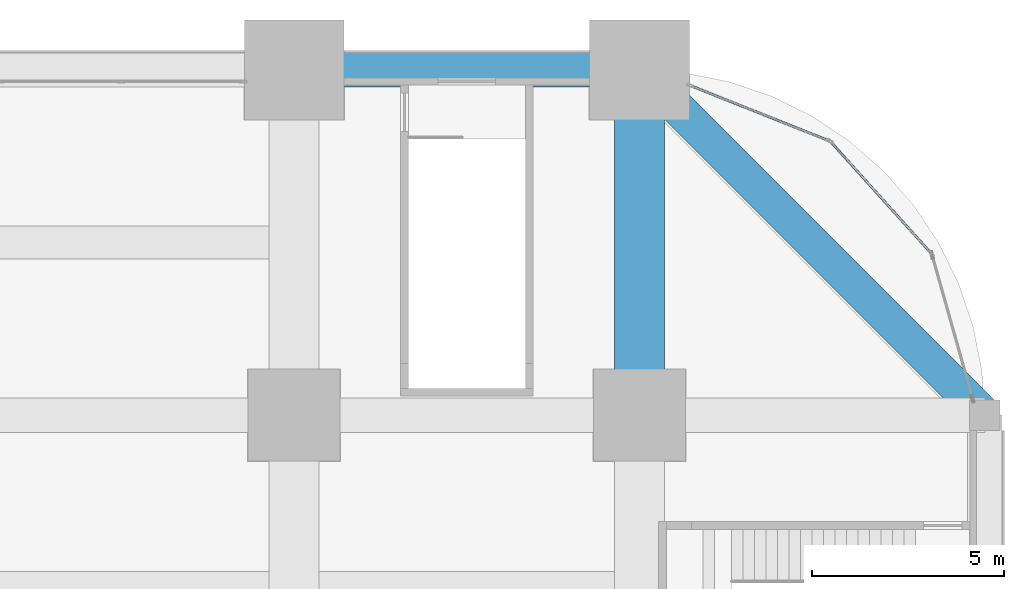
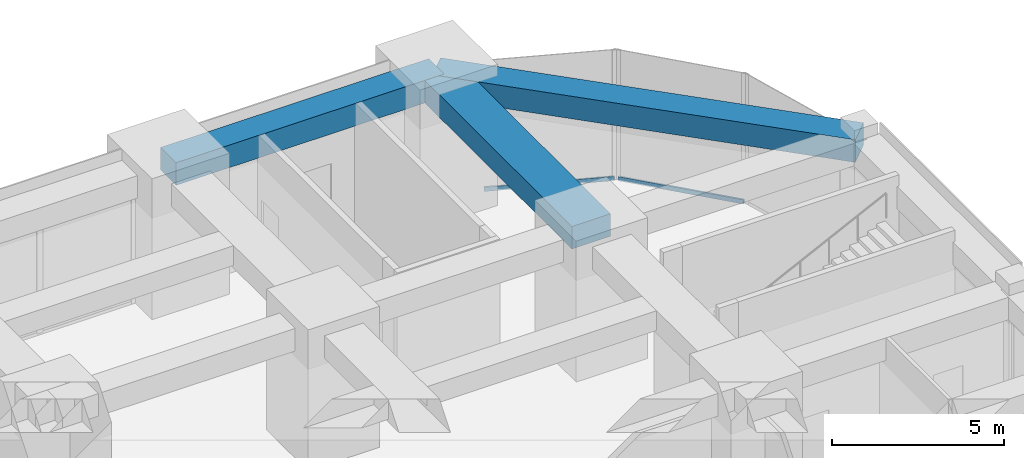
# One storey, part 38 of 46: 3 beams, 2 members, 2 elements without a shape of their own.
"""IFC4 building model written with IfcOpenShell, lengths in metres."""

from ifc_helpers import new_model, si_unit, direction, frame, origin, origin_2d, place, context, subcontext, project, spatial, rectangle, hollow_rectangle, extrude, material, material_profile, profile_set, type_object, element, aggregate, save


model = new_model("IFC4")

# Units and contexts
model_context = context("Model", 3, precision=1e-05, world=origin(), true_north=direction((0.0, 1.0)))
body_context = subcontext(model_context, "Body", "Model", "MODEL_VIEW")
ifc_project = project(units=[si_unit("LENGTHUNIT", "METRE"), si_unit("AREAUNIT", "SQUARE_METRE"), si_unit("VOLUMEUNIT", "CUBIC_METRE"), si_unit("PLANEANGLEUNIT", "RADIAN"), si_unit("MASSUNIT", "GRAM", prefix="KILO")], contexts=[model_context])

# Site, building, storey
site_placement = place(None, origin())
site = spatial("IfcSite", under=ifc_project, at=site_placement, CompositionType="ELEMENT")
building_placement = place(site_placement, origin())
building = spatial("IfcBuilding", under=site, at=building_placement, Name="Zorevar Civic Tower", CompositionType="ELEMENT")
storey_placement = place(building_placement, frame((0.0, 0.0, 10.800048828125)))
storey = spatial("IfcBuildingStorey", under=building, at=storey_placement, Name="L02", CompositionType="ELEMENT", Elevation=10.800048828125)

# Beam
ifc_material_1 = material(Name="Concrete C50/60", Category="concrete")
ifc_material_profile_1 = material_profile(ifc_material_1, rectangle(XDim=1.300048828125, YDim=0.800048828125, at=origin_2d()), Name="RC 1300x800")
ifc_profile_set_1 = profile_set([ifc_material_profile_1], Name="Concrete C50/60")
beam_type_1 = type_object("IfcBeamType", Name="Beam RC 1300x800", PredefinedType="BEAM", material=ifc_profile_set_1)
beam_1_placement = place(storey_placement, frame((63.0, 45.0, 4.199951171875), z_axis=(0.0, 1.0, 0.0), x_axis=(-1.0, 0.0, 0.0)))
element("IfcBeam", 1, at=beam_1_placement, inside=storey, type_object=beam_type_1, Name="Girder L03", PredefinedType="BEAM", context=body_context, shape_type="SweptSolid", body=[
    extrude(rectangle(XDim=1.300048828125, YDim=0.800048828125, at=origin_2d()), origin(), (0.0, 0.0, 1.0), 9.0),
])

# Curtain wall, member
ifc_material_2 = material(Name="Dark grey solar-control glass in black aluminium frame", Category="aluminium")
curtain_wall_type = type_object("IfcCurtainWallType", Name="Curtain wall CW1 podium", PredefinedType="NOTDEFINED", material=ifc_material_2)
curtain_wall_1_placement = place(storey_placement, origin())
curtain_wall_1 = element("IfcCurtainWall", 2, at=curtain_wall_1_placement, inside=storey, type_object=curtain_wall_type, Name="CW1 L02", PredefinedType="NOTDEFINED")
ifc_material_3 = material(Name="Aluminium, black anodised", Category="aluminium")
ifc_material_profile_2 = material_profile(ifc_material_3, hollow_rectangle(XDim=0.06005859375, YDim=0.14990234375, WallThickness=0.00390625, at=origin_2d()), Name="AL 150x60x4")
ifc_profile_set_2 = profile_set([ifc_material_profile_2], Name="Aluminium, black anodised")
member_type = type_object("IfcMemberType", Name="CW1 transom AL 150x60x4", PredefinedType="USERDEFINED", material=ifc_profile_set_2)
member_1_placement = place(storey_placement, frame((70.576904296875, 49.248046875, 0.030029296875), z_axis=(-0.669390521788, 0.742910714245, 0.0), x_axis=(-0.742910714245, -0.669390521788, 0.0)))
member_1 = element("IfcMember", 3, at=member_1_placement, type_object=member_type, Name="CW1 sill transom", ObjectType="TRANSOM", PredefinedType="USERDEFINED", context=body_context, shape_type="SweptSolid", body=[
    extrude(hollow_rectangle(XDim=0.06005859375, YDim=0.14990234375, WallThickness=0.00390625, at=origin_2d()), origin(), (0.0, 0.0, 1.0), 3.83203125),
])
aggregate(curtain_wall_1, [member_1])

curtain_wall_2_placement = place(storey_placement, origin())
curtain_wall_2 = element("IfcCurtainWall", 4, at=curtain_wall_2_placement, inside=storey, type_object=curtain_wall_type, Name="CW1 L02", PredefinedType="NOTDEFINED")
member_2_placement = place(storey_placement, frame((67.915771484375, 52.161865234375, 0.030029296875), z_axis=(-0.928998620575, 0.370083183851, 0.0), x_axis=(-0.370083183851, -0.928998620575, 0.0)))
member_2 = element("IfcMember", 5, at=member_2_placement, type_object=member_type, Name="CW1 sill transom", ObjectType="TRANSOM", PredefinedType="USERDEFINED", context=body_context, shape_type="SweptSolid", body=[
    extrude(hollow_rectangle(XDim=0.06005859375, YDim=0.14990234375, WallThickness=0.00390625, at=origin_2d()), origin(), (0.0, 0.0, 1.0), 3.83203125),
])
aggregate(curtain_wall_2, [member_2])

# Beams
ifc_material_4 = material(Name="Concrete C50/60", Category="concrete")
ifc_material_profile_3 = material_profile(ifc_material_4, rectangle(XDim=0.89990234375, YDim=0.800048828125, at=origin_2d()), Name="RC 900x800")
ifc_profile_set_3 = profile_set([ifc_material_profile_3], Name="Concrete C50/60")
beam_type_2 = type_object("IfcBeamType", Name="Edge beam RC 900x800", PredefinedType="SPANDREL", material=ifc_profile_set_3)
beam_2_placement = place(storey_placement, frame((54.0, 54.0, 4.199951171875), z_axis=(1.0, 0.0, 0.0), x_axis=(0.0, 1.0, 0.0)))
element("IfcBeam", 6, at=beam_2_placement, inside=storey, type_object=beam_type_2, Name="Edge beam L03", PredefinedType="SPANDREL", context=body_context, shape_type="SweptSolid", body=[
    extrude(rectangle(XDim=0.89990234375, YDim=0.800048828125, at=origin_2d()), origin(), (0.0, 0.0, 1.0), 9.0),
])
beam_3_placement = place(storey_placement, frame((72.0, 45.0, 4.199951171875), z_axis=(-0.707106781187, 0.707106781187, 0.0), x_axis=(-0.707106781187, -0.707106781187, 0.0)))
element("IfcBeam", 7, at=beam_3_placement, inside=storey, type_object=beam_type_2, Name="Corner edge beam L03", PredefinedType="SPANDREL", context=body_context, shape_type="SweptSolid", body=[
    extrude(rectangle(XDim=0.89990234375, YDim=0.800048828125, at=origin_2d()), origin(), (0.0, 0.0, 1.0), 12.72802734375),
])

save(model, "model.ifc")
